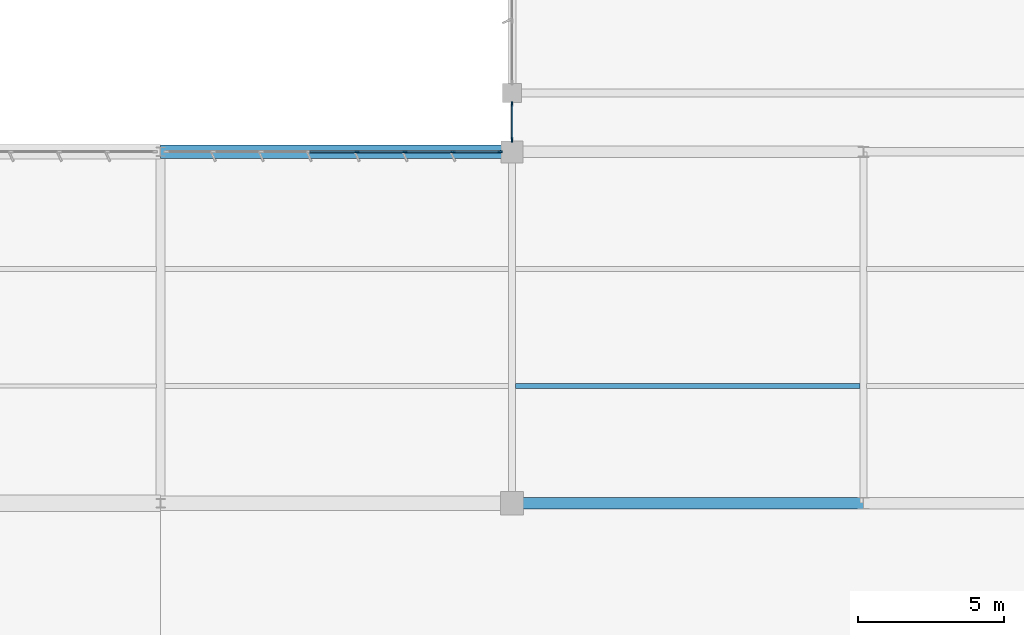
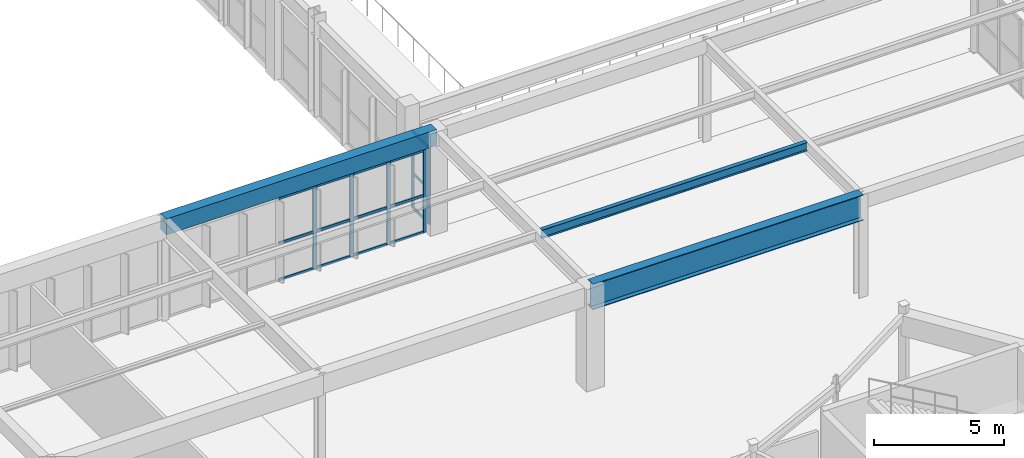
# One storey, part 67 of 186: 21 members, 3 beams, 2 elements without a shape of their own.
"""IFC4 building model written with IfcOpenShell, lengths in metres."""

from ifc_helpers import new_model, si_unit, direction, frame, origin, origin_2d, place, context, subcontext, project, spatial, rectangle, i_section, extrude, material, layer, layer_set, material_profile, profile_set, type_object, element, aggregate, save


model = new_model("IFC4")

# Units and contexts
model_context = context("Model", 3, precision=1e-05, world=origin(), true_north=direction((0.0, 1.0)))
body_context = subcontext(model_context, "Body", "Model", "MODEL_VIEW")
ifc_project = project(units=[si_unit("LENGTHUNIT", "METRE"), si_unit("AREAUNIT", "SQUARE_METRE"), si_unit("VOLUMEUNIT", "CUBIC_METRE"), si_unit("PLANEANGLEUNIT", "RADIAN"), si_unit("MASSUNIT", "GRAM", prefix="KILO")], contexts=[model_context])

# Site, building, storey
site_placement = place(None, origin())
site = spatial("IfcSite", under=ifc_project, at=site_placement, CompositionType="ELEMENT")
building_placement = place(site_placement, origin())
building = spatial("IfcBuilding", under=site, at=building_placement, Name="Tarnwether General Hospital", CompositionType="ELEMENT")
storey_placement = place(building_placement, frame((0.0, 0.0, 9.60009765625)))
storey = spatial("IfcBuildingStorey", under=building, at=storey_placement, Name="L02", CompositionType="ELEMENT", Elevation=9.60009765625)

# Beams
ifc_material_1 = material(Name="Concrete 40 MPa", Category="concrete")
ifc_material_profile_1 = material_profile(ifc_material_1, rectangle(XDim=0.449951171875, YDim=0.75, at=origin_2d()), Name="RC-BM-450x750")
ifc_profile_set_1 = profile_set([ifc_material_profile_1], Name="Concrete 40 MPa")
beam_type_1 = type_object("IfcBeamType", Name="BM-G13", PredefinedType="BEAM", material=ifc_profile_set_1)
beam_1_placement = place(storey_placement, frame((96.0, 45.60009765625, 4.4248046875), z_axis=(1.0, 0.0, 0.0), x_axis=(0.0, 1.0, 0.0)))
element("IfcBeam", 1, at=beam_1_placement, inside=storey, type_object=beam_type_1, Name="Primary Girder BMG-L02-9600_4560-10800_4560-1526", PredefinedType="BEAM", context=body_context, shape_type="SweptSolid", body=[
    extrude(rectangle(XDim=0.449951171875, YDim=0.75, at=origin_2d()), origin(), (0.0, 0.0, 1.0), 12.0),
])
ifc_material_2 = material(Name="Steel Grade 350 (350 MPa)", Category="steel")
ifc_material_profile_2 = material_profile(ifc_material_2, i_section(OverallWidth=0.177978515625, OverallDepth=0.403076171875, WebThickness=0.007568359375, FlangeThickness=0.010986328125, at=origin_2d()), Name="410UB53.7")
ifc_profile_set_2 = profile_set([ifc_material_profile_2], Name="Steel Grade 350 (350 MPa)")
beam_type_2 = type_object("IfcBeamType", Name="BM-J02", PredefinedType="JOIST", material=ifc_profile_set_2)
beam_2_placement = place(storey_placement, frame((108.118896484375, 37.60009765625, 4.598388671875), z_axis=(1.0, 0.0, 0.0), x_axis=(0.0, 1.0, 0.0)))
element("IfcBeam", 2, at=beam_2_placement, inside=storey, type_object=beam_type_2, Name="Composite Floor Joist BMG-L02-10812_3760-11989_3760-1698", PredefinedType="JOIST", context=body_context, shape_type="SweptSolid", body=[
    extrude(i_section(OverallWidth=0.177978515625, OverallDepth=0.403076171875, WebThickness=0.007568359375, FlangeThickness=0.010986328125, at=origin_2d()), origin(), (0.0, 0.0, 1.0), 11.772216796875),
])
ifc_material_3 = material(Name="Steel Grade 350 (350 MPa)", Category="steel")
ifc_material_profile_3 = material_profile(ifc_material_3, i_section(OverallWidth=0.39990234375, OverallDepth=1.199951171875, WebThickness=0.01611328125, FlangeThickness=0.031982421875, at=origin_2d()), Name="1200WB342")
ifc_profile_set_3 = profile_set([ifc_material_profile_3], Name="Steel Grade 350 (350 MPa)")
beam_type_3 = type_object("IfcBeamType", Name="BM-TG2", PredefinedType="BEAM", material=ifc_profile_set_3)
beam_3_placement = place(storey_placement, frame((108.0, 33.60009765625, 4.199951171875), z_axis=(1.0, 0.0, 0.0), x_axis=(0.0, 1.0, 0.0)))
element("IfcBeam", 3, at=beam_3_placement, inside=storey, type_object=beam_type_3, Name="Transfer Girder TG-02 South East BMG-L02-10800_3360-12000_3360-0008", PredefinedType="BEAM", context=body_context, shape_type="SweptSolid", body=[
    extrude(i_section(OverallWidth=0.39990234375, OverallDepth=1.199951171875, WebThickness=0.01611328125, FlangeThickness=0.031982421875, at=origin_2d()), origin(), (0.0, 0.0, 1.0), 12.0),
])

# Curtain wall, members
ifc_material_4 = material(Name="Anodised aluminium", Category="aluminium")
ifc_layer_1 = layer(ifc_material_4, 0.179931640625)
ifc_layer_set_1 = layer_set([ifc_layer_1], Name="Anodised aluminium")
curtain_wall_type_1 = type_object("IfcCurtainWallType", Name="CW-07", PredefinedType="NOTDEFINED", material=ifc_layer_set_1)
curtain_wall_1_placement = place(storey_placement, origin())
curtain_wall_1 = element("IfcCurtainWall", 4, at=curtain_wall_1_placement, inside=storey, type_object=curtain_wall_type_1, Name="Curtain Wall CWG-L02-1080_460-0419", PredefinedType="NOTDEFINED")
ifc_material_5 = material(Name="Anodised aluminium", Category="aluminium")
ifc_material_profile_4 = material_profile(ifc_material_5, rectangle(XDim=0.06005859375, YDim=0.159912109375, at=origin_2d()), Name="ALU-MUL-60x160")
ifc_profile_set_4 = profile_set([ifc_material_profile_4], Name="Anodised aluminium")
member_type_1 = type_object("IfcMemberType", Name="CW-ML1", PredefinedType="MULLION", material=ifc_profile_set_4)
member_1_placement = place(storey_placement, frame((108.0, 46.012939453125, 0.0), z_axis=(0.0, 0.0, 1.0), x_axis=(-1.0, 0.0, 0.0)))
member_1 = element("IfcMember", 5, at=member_1_placement, type_object=member_type_1, Name="CW-07 mullion 1", PredefinedType="MULLION", context=body_context, shape_type="SweptSolid", body=[
    extrude(rectangle(XDim=0.06005859375, YDim=0.159912109375, at=origin_2d()), origin(), (0.0, 0.0, 1.0), 3.614990234375),
])
member_2_placement = place(storey_placement, frame((108.0, 47.237060546875, 0.0), z_axis=(0.0, 0.0, 1.0), x_axis=(-1.0, 0.0, 0.0)))
member_2 = element("IfcMember", 6, at=member_2_placement, type_object=member_type_1, Name="CW-07 mullion 2", PredefinedType="MULLION", context=body_context, shape_type="SweptSolid", body=[
    extrude(rectangle(XDim=0.06005859375, YDim=0.159912109375, at=origin_2d()), origin(), (0.0, 0.0, 1.0), 3.614990234375),
])

ifc_material_6 = material(Name="Anodised aluminium", Category="aluminium")
ifc_layer_2 = layer(ifc_material_6, 0.159912109375)
ifc_layer_set_2 = layer_set([ifc_layer_2], Name="Anodised aluminium")
curtain_wall_type_2 = type_object("IfcCurtainWallType", Name="CW-24", PredefinedType="NOTDEFINED", material=ifc_layer_set_2)
curtain_wall_2_placement = place(storey_placement, origin())
curtain_wall_2 = element("IfcCurtainWall", 7, at=curtain_wall_2_placement, inside=storey, type_object=curtain_wall_type_2, Name="Curtain Wall CWG-L02-1076_456-0430", PredefinedType="NOTDEFINED")
member_3_placement = place(storey_placement, frame((107.5869140625, 45.60009765625, 0.0), z_axis=(0.0, 0.0, 1.0), x_axis=(0.0, -1.0, 0.0)))
member_3 = element("IfcMember", 8, at=member_3_placement, type_object=member_type_1, Name="CW-24 mullion 1", PredefinedType="MULLION", context=body_context, shape_type="SweptSolid", body=[
    extrude(rectangle(XDim=0.06005859375, YDim=0.159912109375, at=origin_2d()), origin(), (0.0, 0.0, 1.0), 3.885009765625),
])
member_4_placement = place(storey_placement, frame((105.98046875, 45.60009765625, 0.0), z_axis=(0.0, 0.0, 1.0), x_axis=(0.0, -1.0, 0.0)))
member_4 = element("IfcMember", 9, at=member_4_placement, type_object=member_type_1, Name="CW-24 mullion 2", PredefinedType="MULLION", context=body_context, shape_type="SweptSolid", body=[
    extrude(rectangle(XDim=0.06005859375, YDim=0.159912109375, at=origin_2d()), origin(), (0.0, 0.0, 1.0), 3.885009765625),
])
member_5_placement = place(storey_placement, frame((104.34423828125, 45.60009765625, 0.0), z_axis=(0.0, 0.0, 1.0), x_axis=(0.0, -1.0, 0.0)))
member_5 = element("IfcMember", 10, at=member_5_placement, type_object=member_type_1, Name="CW-24 mullion 3", PredefinedType="MULLION", context=body_context, shape_type="SweptSolid", body=[
    extrude(rectangle(XDim=0.06005859375, YDim=0.159912109375, at=origin_2d()), origin(), (0.0, 0.0, 1.0), 3.885009765625),
])
member_6_placement = place(storey_placement, frame((102.707763671875, 45.60009765625, 0.0), z_axis=(0.0, 0.0, 1.0), x_axis=(0.0, -1.0, 0.0)))
member_6 = element("IfcMember", 11, at=member_6_placement, type_object=member_type_1, Name="CW-24 mullion 4", PredefinedType="MULLION", context=body_context, shape_type="SweptSolid", body=[
    extrude(rectangle(XDim=0.06005859375, YDim=0.159912109375, at=origin_2d()), origin(), (0.0, 0.0, 1.0), 3.885009765625),
])

# Member
ifc_material_7 = material(Name="Anodised aluminium", Category="aluminium")
ifc_material_profile_5 = material_profile(ifc_material_7, rectangle(XDim=0.06005859375, YDim=0.1201171875, at=origin_2d()), Name="ALU-TRN-60x120")
ifc_profile_set_5 = profile_set([ifc_material_profile_5], Name="Anodised aluminium")
member_type_2 = type_object("IfcMemberType", Name="CW-TR1", PredefinedType="USERDEFINED", material=ifc_profile_set_5)
member_7_placement = place(storey_placement, frame((108.0, 46.04296875, 0.02978515625), z_axis=(0.0, 1.0, 0.0), x_axis=(-1.0, 0.0, 0.0)))
member_7 = element("IfcMember", 12, at=member_7_placement, type_object=member_type_2, Name="CW-07 transom 1.1", ObjectType="TRANSOM", PredefinedType="USERDEFINED", context=body_context, shape_type="SweptSolid", body=[
    extrude(rectangle(XDim=0.06005859375, YDim=0.1201171875, at=origin_2d()), origin(), (0.0, 0.0, 1.0), 1.1640625),
])

member_8_placement = place(storey_placement, frame((108.0, 46.04296875, 1.626708984375), z_axis=(0.0, 1.0, 0.0), x_axis=(-1.0, 0.0, 0.0)))
member_8 = element("IfcMember", 13, at=member_8_placement, type_object=member_type_2, Name="CW-07 transom 1.2", ObjectType="TRANSOM", PredefinedType="USERDEFINED", context=body_context, shape_type="SweptSolid", body=[
    extrude(rectangle(XDim=0.06005859375, YDim=0.1201171875, at=origin_2d()), origin(), (0.0, 0.0, 1.0), 1.1640625),
])

member_9_placement = place(storey_placement, frame((108.0, 46.04296875, 3.5849609375), z_axis=(0.0, 1.0, 0.0), x_axis=(-1.0, 0.0, 0.0)))
member_9 = element("IfcMember", 14, at=member_9_placement, type_object=member_type_2, Name="CW-07 transom 1.3", ObjectType="TRANSOM", PredefinedType="USERDEFINED", context=body_context, shape_type="SweptSolid", body=[
    extrude(rectangle(XDim=0.06005859375, YDim=0.1201171875, at=origin_2d()), origin(), (0.0, 0.0, 1.0), 1.1640625),
])

aggregate(curtain_wall_1, [member_1, member_2, member_7, member_8, member_9])

member_10_placement = place(storey_placement, frame((107.556884765625, 45.60009765625, 0.02978515625), z_axis=(-1.0, 0.0, 0.0), x_axis=(0.0, -1.0, 0.0)))
member_10 = element("IfcMember", 15, at=member_10_placement, type_object=member_type_2, Name="CW-24 transom 1.1", ObjectType="TRANSOM", PredefinedType="USERDEFINED", context=body_context, shape_type="SweptSolid", body=[
    extrude(rectangle(XDim=0.06005859375, YDim=0.1201171875, at=origin_2d()), origin(), (0.0, 0.0, 1.0), 1.54638671875),
])

member_11_placement = place(storey_placement, frame((107.556884765625, 45.60009765625, 1.748291015625), z_axis=(-1.0, 0.0, 0.0), x_axis=(0.0, -1.0, 0.0)))
member_11 = element("IfcMember", 16, at=member_11_placement, type_object=member_type_2, Name="CW-24 transom 1.2", ObjectType="TRANSOM", PredefinedType="USERDEFINED", context=body_context, shape_type="SweptSolid", body=[
    extrude(rectangle(XDim=0.06005859375, YDim=0.1201171875, at=origin_2d()), origin(), (0.0, 0.0, 1.0), 1.54638671875),
])

member_12_placement = place(storey_placement, frame((107.556884765625, 45.60009765625, 3.85498046875), z_axis=(-1.0, 0.0, 0.0), x_axis=(0.0, -1.0, 0.0)))
member_12 = element("IfcMember", 17, at=member_12_placement, type_object=member_type_2, Name="CW-24 transom 1.3", ObjectType="TRANSOM", PredefinedType="USERDEFINED", context=body_context, shape_type="SweptSolid", body=[
    extrude(rectangle(XDim=0.06005859375, YDim=0.1201171875, at=origin_2d()), origin(), (0.0, 0.0, 1.0), 1.54638671875),
])

member_13_placement = place(storey_placement, frame((105.95068359375, 45.60009765625, 0.02978515625), z_axis=(-1.0, 0.0, 0.0), x_axis=(0.0, -1.0, 0.0)))
member_13 = element("IfcMember", 18, at=member_13_placement, type_object=member_type_2, Name="CW-24 transom 2.1", ObjectType="TRANSOM", PredefinedType="USERDEFINED", context=body_context, shape_type="SweptSolid", body=[
    extrude(rectangle(XDim=0.06005859375, YDim=0.1201171875, at=origin_2d()), origin(), (0.0, 0.0, 1.0), 1.57666015625),
])

member_14_placement = place(storey_placement, frame((105.95068359375, 45.60009765625, 1.748291015625), z_axis=(-1.0, 0.0, 0.0), x_axis=(0.0, -1.0, 0.0)))
member_14 = element("IfcMember", 19, at=member_14_placement, type_object=member_type_2, Name="CW-24 transom 2.2", ObjectType="TRANSOM", PredefinedType="USERDEFINED", context=body_context, shape_type="SweptSolid", body=[
    extrude(rectangle(XDim=0.06005859375, YDim=0.1201171875, at=origin_2d()), origin(), (0.0, 0.0, 1.0), 1.57666015625),
])

member_15_placement = place(storey_placement, frame((105.95068359375, 45.60009765625, 3.85498046875), z_axis=(-1.0, 0.0, 0.0), x_axis=(0.0, -1.0, 0.0)))
member_15 = element("IfcMember", 20, at=member_15_placement, type_object=member_type_2, Name="CW-24 transom 2.3", ObjectType="TRANSOM", PredefinedType="USERDEFINED", context=body_context, shape_type="SweptSolid", body=[
    extrude(rectangle(XDim=0.06005859375, YDim=0.1201171875, at=origin_2d()), origin(), (0.0, 0.0, 1.0), 1.57666015625),
])

member_16_placement = place(storey_placement, frame((104.314208984375, 45.60009765625, 0.02978515625), z_axis=(-1.0, 0.0, 0.0), x_axis=(0.0, -1.0, 0.0)))
member_16 = element("IfcMember", 21, at=member_16_placement, type_object=member_type_2, Name="CW-24 transom 3.1", ObjectType="TRANSOM", PredefinedType="USERDEFINED", context=body_context, shape_type="SweptSolid", body=[
    extrude(rectangle(XDim=0.06005859375, YDim=0.1201171875, at=origin_2d()), origin(), (0.0, 0.0, 1.0), 1.576416015625),
])

member_17_placement = place(storey_placement, frame((104.314208984375, 45.60009765625, 1.748291015625), z_axis=(-1.0, 0.0, 0.0), x_axis=(0.0, -1.0, 0.0)))
member_17 = element("IfcMember", 22, at=member_17_placement, type_object=member_type_2, Name="CW-24 transom 3.2", ObjectType="TRANSOM", PredefinedType="USERDEFINED", context=body_context, shape_type="SweptSolid", body=[
    extrude(rectangle(XDim=0.06005859375, YDim=0.1201171875, at=origin_2d()), origin(), (0.0, 0.0, 1.0), 1.576416015625),
])

member_18_placement = place(storey_placement, frame((104.314208984375, 45.60009765625, 3.85498046875), z_axis=(-1.0, 0.0, 0.0), x_axis=(0.0, -1.0, 0.0)))
member_18 = element("IfcMember", 23, at=member_18_placement, type_object=member_type_2, Name="CW-24 transom 3.3", ObjectType="TRANSOM", PredefinedType="USERDEFINED", context=body_context, shape_type="SweptSolid", body=[
    extrude(rectangle(XDim=0.06005859375, YDim=0.1201171875, at=origin_2d()), origin(), (0.0, 0.0, 1.0), 1.576416015625),
])

member_19_placement = place(storey_placement, frame((102.677734375, 45.60009765625, 0.02978515625), z_axis=(-1.0, 0.0, 0.0), x_axis=(0.0, -1.0, 0.0)))
member_19 = element("IfcMember", 24, at=member_19_placement, type_object=member_type_2, Name="CW-24 transom 4.1", ObjectType="TRANSOM", PredefinedType="USERDEFINED", context=body_context, shape_type="SweptSolid", body=[
    extrude(rectangle(XDim=0.06005859375, YDim=0.1201171875, at=origin_2d()), origin(), (0.0, 0.0, 1.0), 1.576416015625),
])

member_20_placement = place(storey_placement, frame((102.677734375, 45.60009765625, 1.748291015625), z_axis=(-1.0, 0.0, 0.0), x_axis=(0.0, -1.0, 0.0)))
member_20 = element("IfcMember", 25, at=member_20_placement, type_object=member_type_2, Name="CW-24 transom 4.2", ObjectType="TRANSOM", PredefinedType="USERDEFINED", context=body_context, shape_type="SweptSolid", body=[
    extrude(rectangle(XDim=0.06005859375, YDim=0.1201171875, at=origin_2d()), origin(), (0.0, 0.0, 1.0), 1.576416015625),
])

member_21_placement = place(storey_placement, frame((102.677734375, 45.60009765625, 3.85498046875), z_axis=(-1.0, 0.0, 0.0), x_axis=(0.0, -1.0, 0.0)))
member_21 = element("IfcMember", 26, at=member_21_placement, type_object=member_type_2, Name="CW-24 transom 4.3", ObjectType="TRANSOM", PredefinedType="USERDEFINED", context=body_context, shape_type="SweptSolid", body=[
    extrude(rectangle(XDim=0.06005859375, YDim=0.1201171875, at=origin_2d()), origin(), (0.0, 0.0, 1.0), 1.576416015625),
])

aggregate(curtain_wall_2, [member_3, member_4, member_5, member_6, member_10, member_11, member_12, member_13, member_14, member_15, member_16, member_17, member_18, member_19, member_20, member_21])

save(model, "model.ifc")
